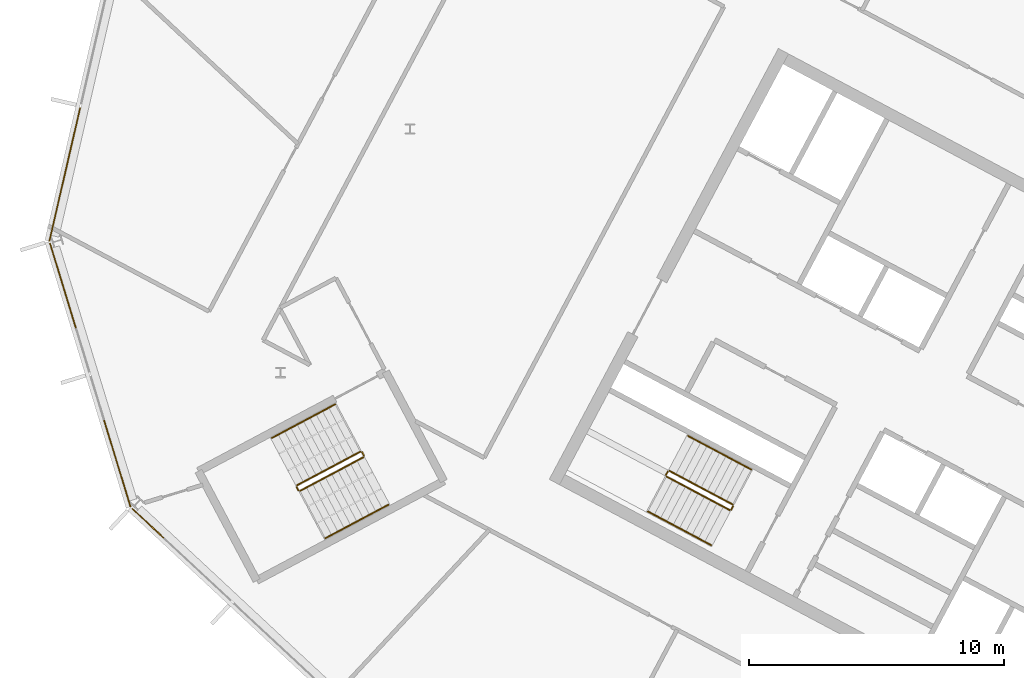
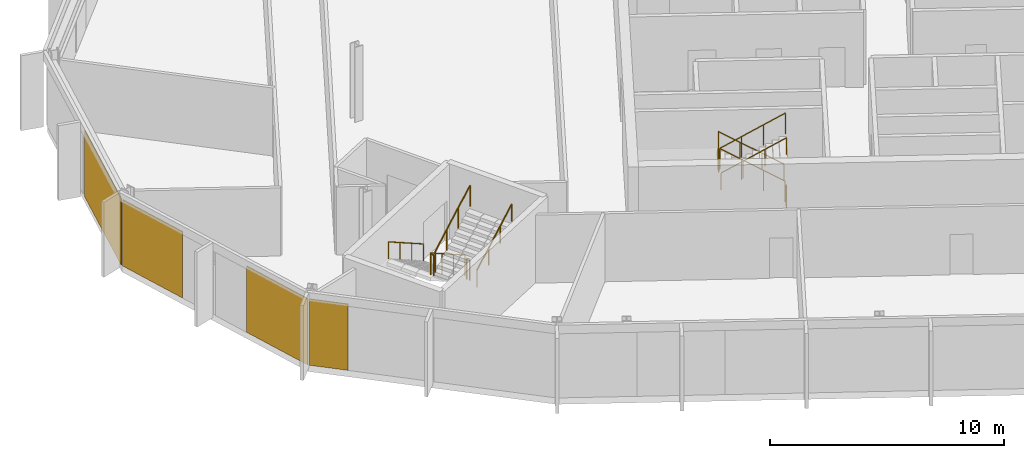
# One storey, part 21 of 26: 12 railings, 4 coverings, 3 elements without a shape of their own.
"""IFC4 building model written with IfcOpenShell, lengths in metres."""

from ifc_helpers import new_model, si_unit, direction, frame, origin, origin_2d, place, context, subcontext, project, spatial, polyline, rectangle, outline, extrude, material, layer, layer_set, type_object, element, aggregate, save


model = new_model("IFC4")

# Units and contexts
model_context = context("Model", 3, precision=1e-05, world=origin(), true_north=direction((0.0, 1.0)))
body_context = subcontext(model_context, "Body", "Model", "MODEL_VIEW")
ifc_project = project(units=[si_unit("LENGTHUNIT", "METRE"), si_unit("AREAUNIT", "SQUARE_METRE"), si_unit("VOLUMEUNIT", "CUBIC_METRE"), si_unit("PLANEANGLEUNIT", "RADIAN"), si_unit("MASSUNIT", "GRAM", prefix="KILO")], contexts=[model_context])

# Site, building, storey
site_placement = place(None, origin())
site = spatial("IfcSite", under=ifc_project, at=site_placement, CompositionType="ELEMENT")
building_placement = place(site_placement, origin())
building = spatial("IfcBuilding", under=site, at=building_placement, Name="Cormorant Relay Tower", CompositionType="ELEMENT")
storey_placement = place(building_placement, frame((0.0, 0.0, 269.699951171875)))
storey = spatial("IfcBuildingStorey", under=building, at=storey_placement, Name="L60", CompositionType="ELEMENT", Elevation=269.699951171875)

# Curtain wall, covering
ifc_material_1 = material(Name="Aluminium 6063-T6 anodised bronze", Category="aluminium")
ifc_layer_1 = layer(ifc_material_1, 0.199951171875)
ifc_layer_set_1 = layer_set([ifc_layer_1], Name="CW1 unitised bronze curtain wall with vertical fins")
curtain_wall_type = type_object("IfcCurtainWallType", Name="CW1 unitised bronze curtain wall with vertical fins", PredefinedType="NOTDEFINED", material=ifc_layer_set_1)
curtain_wall_1_placement = place(storey_placement, origin())
curtain_wall_1 = element("IfcCurtainWall", 1, at=curtain_wall_1_placement, inside=storey, type_object=curtain_wall_type, Name="CW1 curtain wall 13", PredefinedType="NOTDEFINED")
ifc_material_2 = material(Name="Pale bronze anodised aluminium insulated panel", Category="aluminium")
ifc_layer_2 = layer(ifc_material_2, 0.0400390625)
ifc_layer_set_2 = layer_set([ifc_layer_2], Name="CW1 pale bronze insulated panel 40")
covering_type = type_object("IfcCoveringType", Name="CW1 pale bronze insulated panel 40", PredefinedType="CLADDING", material=ifc_layer_set_2)
covering_1_placement = place(storey_placement, frame((-60.136474609375, 23.00927734375, 0.0), z_axis=(0.0, 0.0, 1.0), x_axis=(-0.224951054344, -0.974370064785, 0.0)))
covering_1 = element("IfcCovering", 2, at=covering_1_placement, type_object=covering_type, Name="CW1 panel S01", PredefinedType="CLADDING", context=body_context, shape_type="SweptSolid", body=[
    extrude(rectangle(XDim=5.360107421875, YDim=0.0400390625, at=origin_2d()), origin(), (0.0, 0.0, 1.0), 3.449951171875),
])
aggregate(curtain_wall_1, [covering_1])

# Curtain wall, coverings
curtain_wall_2_placement = place(storey_placement, origin())
curtain_wall_2 = element("IfcCurtainWall", 3, at=curtain_wall_2_placement, inside=storey, type_object=curtain_wall_type, Name="CW1 curtain wall 14", PredefinedType="NOTDEFINED")
covering_2_placement = place(storey_placement, frame((-60.20751953125, 18.6494140625, 0.0), z_axis=(0.0, 0.0, 1.0), x_axis=(0.292371704723, -0.956304755963, 0.0)))
covering_2 = element("IfcCovering", 4, at=covering_2_placement, type_object=covering_type, Name="CW1 panel S00", PredefinedType="CLADDING", context=body_context, shape_type="SweptSolid", body=[
    extrude(rectangle(XDim=3.485107421875, YDim=0.0400390625, at=origin_2d()), origin(), (0.0, 0.0, 1.0), 3.449951171875),
])
covering_3_placement = place(storey_placement, frame((-58.081298828125, 11.6943359375, 0.0), z_axis=(0.0, 0.0, 1.0), x_axis=(0.292371704723, -0.956304755963, 0.0)))
covering_3 = element("IfcCovering", 5, at=covering_3_placement, type_object=covering_type, Name="CW1 panel S03", PredefinedType="CLADDING", context=body_context, shape_type="SweptSolid", body=[
    extrude(rectangle(XDim=3.560302734375, YDim=0.0400390625, at=origin_2d()), origin(), (0.0, 0.0, 1.0), 3.449951171875),
])
aggregate(curtain_wall_2, [covering_2, covering_3])

# Curtain wall, covering
curtain_wall_3_placement = place(storey_placement, origin())
curtain_wall_3 = element("IfcCurtainWall", 6, at=curtain_wall_3_placement, inside=storey, type_object=curtain_wall_type, Name="CW1 curtain wall 15", PredefinedType="NOTDEFINED")
covering_4_placement = place(storey_placement, frame((-56.88427734375, 9.357421875, 0.0), z_axis=(0.0, 0.0, 1.0), x_axis=(0.731353701619, -0.681998360062, 0.0)))
covering_4 = element("IfcCovering", 7, at=covering_4_placement, type_object=covering_type, Name="CW1 panel S00", PredefinedType="CLADDING", context=body_context, shape_type="SweptSolid", body=[
    extrude(rectangle(XDim=1.685302734375, YDim=0.0400390625, at=origin_2d()), origin(), (0.0, 0.0, 1.0), 3.449951171875),
])
aggregate(curtain_wall_3, [covering_4])

# Railings
ifc_material_3 = material(Name="Steel ASTM A572 Grade 50 (Fy 345 MPa)", Category="steel")
railing_type_1 = type_object("IfcRailingType", Name="Stair guard 1100", PredefinedType="GUARDRAIL", material=ifc_material_3)
railing_1_placement = place(storey_placement, frame((-33.9921875, 10.08935546875, 0.17724609375)))
element("IfcRailing", 8, at=railing_1_placement, inside=storey, type_object=railing_type_1, Name="L60 A2 stair guard 1", PredefinedType="GUARDRAIL", context=body_context, shape_type="SweptSolid", body=[
    extrude(outline(polyline([(0.022216796875, 0.00927734375), (0.00927734375, 0.022216796875), (-0.00927734375, 0.022216796875), (-0.022216796875, 0.00927734375), (-0.022216796875, -0.00927734375), (-0.00927734375, -0.022216796875), (0.00927734375, -0.022216796875), (0.022216796875, -0.00927734375), (0.022216796875, 0.00927734375)])), frame((0.0, 0.0, 1.076171875), z_axis=(-0.746001213114, 0.396649272309, 0.534931345884), x_axis=(-0.469465464807, -0.882950835185, 0.0)), (0.0, 0.0, 1.0), 3.31396484375),
    extrude(outline(polyline([(0.019287109375, 0.008056640625), (0.008056640625, 0.019287109375), (-0.008056640625, 0.019287109375), (-0.019287109375, 0.008056640625), (-0.019287109375, -0.008056640625), (-0.008056640625, -0.019287109375), (0.008056640625, -0.019287109375), (0.019287109375, -0.008056640625), (0.019287109375, 0.008056640625)])), origin(), (0.0, 0.0, 1.0), 1.052001953125),
    extrude(outline(polyline([(0.019287109375, 0.008056640625), (0.008056640625, 0.019287109375), (-0.008056640625, 0.019287109375), (-0.019287109375, 0.008056640625), (-0.019287109375, -0.008056640625), (-0.008056640625, -0.019287109375), (0.008056640625, -0.019287109375), (0.019287109375, -0.008056640625), (0.019287109375, 0.008056640625)])), frame((-0.823974609375, 0.438232421875, 0.5908203125)), (0.0, 0.0, 1.0), 1.052001953125),
    extrude(outline(polyline([(0.019287109375, 0.008056640625), (0.008056640625, 0.019287109375), (-0.008056640625, 0.019287109375), (-0.019287109375, 0.008056640625), (-0.019287109375, -0.008056640625), (-0.008056640625, -0.019287109375), (0.008056640625, -0.019287109375), (0.019287109375, -0.008056640625), (0.019287109375, 0.008056640625)])), frame((-1.648193359375, 0.876220703125, 1.181884765625)), (0.0, 0.0, 1.0), 1.052001953125),
    extrude(outline(polyline([(0.019287109375, 0.008056640625), (0.008056640625, 0.019287109375), (-0.008056640625, 0.019287109375), (-0.019287109375, 0.008056640625), (-0.019287109375, -0.008056640625), (-0.008056640625, -0.019287109375), (0.008056640625, -0.019287109375), (0.019287109375, -0.008056640625), (0.019287109375, 0.008056640625)])), frame((-2.47216796875, 1.314453125, 1.772705078125)), (0.0, 0.0, 1.0), 1.052001953125),
])
railing_2_placement = place(storey_placement, frame((-36.531982421875, 11.38330078125, 1.949951171875)))
element("IfcRailing", 9, at=railing_2_placement, inside=storey, type_object=railing_type_1, Name="L60 A2 stair guard 2", PredefinedType="GUARDRAIL", context=body_context, shape_type="SweptSolid", body=[
    extrude(outline(polyline([(0.022216796875, 0.00927734375), (0.00927734375, 0.022216796875), (-0.00927734375, 0.022216796875), (-0.022216796875, 0.00927734375), (-0.022216796875, -0.00927734375), (-0.00927734375, -0.022216796875), (0.00927734375, -0.022216796875), (0.022216796875, -0.00927734375), (0.022216796875, 0.00927734375)])), frame((0.0, 0.0, 1.076171875), z_axis=(-0.469828648786, -0.882757634224, 0.0), x_axis=(0.882757634224, -0.469828648786, 0.0)), (0.0, 0.0, 1.0), 0.150146484375),
    extrude(outline(polyline([(0.019287109375, 0.008056640625), (0.008056640625, 0.019287109375), (-0.008056640625, 0.019287109375), (-0.019287109375, 0.008056640625), (-0.019287109375, -0.008056640625), (-0.008056640625, -0.019287109375), (0.008056640625, -0.019287109375), (0.019287109375, -0.008056640625), (0.019287109375, 0.008056640625)])), origin(), (0.0, 0.0, 1.0), 1.052001953125),
    extrude(outline(polyline([(0.019287109375, 0.008056640625), (0.008056640625, 0.019287109375), (-0.008056640625, 0.019287109375), (-0.019287109375, 0.008056640625), (-0.019287109375, -0.008056640625), (-0.008056640625, -0.019287109375), (0.008056640625, -0.019287109375), (0.019287109375, -0.008056640625), (0.019287109375, 0.008056640625)])), frame((-0.070556640625, -0.132568359375, 0.0)), (0.0, 0.0, 1.0), 1.052001953125),
])
railing_3_placement = place(storey_placement, frame((-36.581787109375, 11.18310546875, 2.12744140625)))
element("IfcRailing", 10, at=railing_3_placement, inside=storey, type_object=railing_type_1, Name="L60 A2 stair guard 3", PredefinedType="GUARDRAIL", context=body_context, shape_type="SweptSolid", body=[
    extrude(outline(polyline([(0.022216796875, 0.00927734375), (0.00927734375, 0.022216796875), (-0.00927734375, 0.022216796875), (-0.022216796875, 0.00927734375), (-0.022216796875, -0.00927734375), (-0.00927734375, -0.022216796875), (0.00927734375, -0.022216796875), (0.022216796875, -0.00927734375), (0.022216796875, 0.00927734375)])), frame((0.0, 0.0, 1.076171875), z_axis=(0.746001213114, -0.396649272309, 0.534931345884), x_axis=(0.469465464807, 0.882950835185, 0.0)), (0.0, 0.0, 1.0), 3.31396484375),
    extrude(outline(polyline([(0.019287109375, 0.008056640625), (0.008056640625, 0.019287109375), (-0.008056640625, 0.019287109375), (-0.019287109375, 0.008056640625), (-0.019287109375, -0.008056640625), (-0.008056640625, -0.019287109375), (0.008056640625, -0.019287109375), (0.019287109375, -0.008056640625), (0.019287109375, 0.008056640625)])), origin(), (0.0, 0.0, 1.0), 1.052001953125),
    extrude(outline(polyline([(0.019287109375, 0.008056640625), (0.008056640625, 0.019287109375), (-0.008056640625, 0.019287109375), (-0.019287109375, 0.008056640625), (-0.019287109375, -0.008056640625), (-0.008056640625, -0.019287109375), (0.008056640625, -0.019287109375), (0.019287109375, -0.008056640625), (0.019287109375, 0.008056640625)])), frame((0.823974609375, -0.438232421875, 0.5908203125)), (0.0, 0.0, 1.0), 1.052001953125),
    extrude(outline(polyline([(0.019287109375, 0.008056640625), (0.008056640625, 0.019287109375), (-0.008056640625, 0.019287109375), (-0.019287109375, 0.008056640625), (-0.019287109375, -0.008056640625), (-0.008056640625, -0.019287109375), (0.008056640625, -0.019287109375), (0.019287109375, -0.008056640625), (0.019287109375, 0.008056640625)])), frame((1.648193359375, -0.876220703125, 1.181884765625)), (0.0, 0.0, 1.0), 1.052001953125),
    extrude(outline(polyline([(0.019287109375, 0.008056640625), (0.008056640625, 0.019287109375), (-0.008056640625, 0.019287109375), (-0.019287109375, 0.008056640625), (-0.019287109375, -0.008056640625), (-0.008056640625, -0.019287109375), (0.008056640625, -0.019287109375), (0.019287109375, -0.008056640625), (0.019287109375, 0.008056640625)])), frame((2.47216796875, -1.314453125, 1.772705078125)), (0.0, 0.0, 1.0), 1.052001953125),
])
railing_4_placement = place(storey_placement, frame((-33.971435546875, 10.021728515625, 0.0)))
element("IfcRailing", 11, at=railing_4_placement, inside=storey, type_object=railing_type_1, Name="L60 A2 stair guard 4", PredefinedType="GUARDRAIL", context=body_context, shape_type="SweptSolid", body=[
    extrude(outline(polyline([(0.022216796875, 0.00927734375), (0.00927734375, 0.022216796875), (-0.00927734375, 0.022216796875), (-0.022216796875, 0.00927734375), (-0.022216796875, -0.00927734375), (-0.00927734375, -0.022216796875), (0.00927734375, -0.022216796875), (0.022216796875, -0.00927734375), (0.022216796875, 0.00927734375)])), frame((0.0, 0.0, 1.076171875), z_axis=(-0.470503732759, -0.882398003998, 0.0), x_axis=(0.882398003998, -0.470503732759, 0.0)), (0.0, 0.0, 1.0), 0.14990234375),
    extrude(outline(polyline([(0.019287109375, 0.008056640625), (0.008056640625, 0.019287109375), (-0.008056640625, 0.019287109375), (-0.019287109375, 0.008056640625), (-0.019287109375, -0.008056640625), (-0.008056640625, -0.019287109375), (0.008056640625, -0.019287109375), (0.019287109375, -0.008056640625), (0.019287109375, 0.008056640625)])), origin(), (0.0, 0.0, 1.0), 1.052001953125),
    extrude(outline(polyline([(0.019287109375, 0.008056640625), (0.008056640625, 0.019287109375), (-0.008056640625, 0.019287109375), (-0.019287109375, 0.008056640625), (-0.019287109375, -0.008056640625), (-0.008056640625, -0.019287109375), (0.008056640625, -0.019287109375), (0.019287109375, -0.008056640625), (0.019287109375, 0.008056640625)])), frame((-0.070556640625, -0.13232421875, 0.0)), (0.0, 0.0, 1.0), 1.052001953125),
])
railing_5_placement = place(storey_placement, frame((-48.5693359375, 12.155517578125, 0.17724609375)))
element("IfcRailing", 12, at=railing_5_placement, inside=storey, type_object=railing_type_1, Name="L60 RP1 stair guard 1", PredefinedType="GUARDRAIL", context=body_context, shape_type="SweptSolid", body=[
    extrude(outline(polyline([(0.022216796875, 0.00927734375), (0.00927734375, 0.022216796875), (-0.00927734375, 0.022216796875), (-0.022216796875, 0.00927734375), (-0.022216796875, -0.00927734375), (-0.00927734375, -0.022216796875), (0.00927734375, -0.022216796875), (0.022216796875, -0.00927734375), (0.022216796875, 0.00927734375)])), frame((0.0, 0.0, 1.076171875), z_axis=(-0.746012083385, -0.396689549623, 0.534886317514), x_axis=(0.469497295046, -0.882933910293, 0.0)), (0.0, 0.0, 1.0), 3.314208984375),
    extrude(outline(polyline([(0.019287109375, 0.008056640625), (0.008056640625, 0.019287109375), (-0.008056640625, 0.019287109375), (-0.019287109375, 0.008056640625), (-0.019287109375, -0.008056640625), (-0.008056640625, -0.019287109375), (0.008056640625, -0.019287109375), (0.019287109375, -0.008056640625), (0.019287109375, 0.008056640625)])), origin(), (0.0, 0.0, 1.0), 1.052001953125),
    extrude(outline(polyline([(0.019287109375, 0.008056640625), (0.008056640625, 0.019287109375), (-0.008056640625, 0.019287109375), (-0.019287109375, 0.008056640625), (-0.019287109375, -0.008056640625), (-0.008056640625, -0.019287109375), (0.008056640625, -0.019287109375), (0.019287109375, -0.008056640625), (0.019287109375, 0.008056640625)])), frame((-0.82421875, -0.438232421875, 0.5908203125)), (0.0, 0.0, 1.0), 1.052001953125),
    extrude(outline(polyline([(0.019287109375, 0.008056640625), (0.008056640625, 0.019287109375), (-0.008056640625, 0.019287109375), (-0.019287109375, 0.008056640625), (-0.019287109375, -0.008056640625), (-0.008056640625, -0.019287109375), (0.008056640625, -0.019287109375), (0.019287109375, -0.008056640625), (0.019287109375, 0.008056640625)])), frame((-1.648193359375, -0.87646484375, 1.181884765625)), (0.0, 0.0, 1.0), 1.052001953125),
    extrude(outline(polyline([(0.019287109375, 0.008056640625), (0.008056640625, 0.019287109375), (-0.008056640625, 0.019287109375), (-0.019287109375, 0.008056640625), (-0.019287109375, -0.008056640625), (-0.008056640625, -0.019287109375), (0.008056640625, -0.019287109375), (0.019287109375, -0.008056640625), (0.019287109375, 0.008056640625)])), frame((-2.472412109375, -1.314697265625, 1.772705078125)), (0.0, 0.0, 1.0), 1.052001953125),
])
railing_6_placement = place(storey_placement, frame((-51.062255859375, 10.773193359375, 1.949951171875)))
element("IfcRailing", 13, at=railing_6_placement, inside=storey, type_object=railing_type_1, Name="L60 RP1 stair guard 2", PredefinedType="GUARDRAIL", context=body_context, shape_type="SweptSolid", body=[
    extrude(outline(polyline([(0.022216796875, 0.00927734375), (0.00927734375, 0.022216796875), (-0.00927734375, 0.022216796875), (-0.022216796875, 0.00927734375), (-0.022216796875, -0.00927734375), (-0.00927734375, -0.022216796875), (0.00927734375, -0.022216796875), (0.022216796875, -0.00927734375), (0.022216796875, 0.00927734375)])), frame((0.0, 0.0, 1.076171875), z_axis=(0.469234640946, -0.883073525669, 0.0), x_axis=(0.883073525669, 0.469234640946, 0.0)), (0.0, 0.0, 1.0), 0.14990234375),
    extrude(outline(polyline([(0.019287109375, 0.008056640625), (0.008056640625, 0.019287109375), (-0.008056640625, 0.019287109375), (-0.019287109375, 0.008056640625), (-0.019287109375, -0.008056640625), (-0.008056640625, -0.019287109375), (0.008056640625, -0.019287109375), (0.019287109375, -0.008056640625), (0.019287109375, 0.008056640625)])), origin(), (0.0, 0.0, 1.0), 1.052001953125),
    extrude(outline(polyline([(0.019287109375, 0.008056640625), (0.008056640625, 0.019287109375), (-0.008056640625, 0.019287109375), (-0.019287109375, 0.008056640625), (-0.019287109375, -0.008056640625), (-0.008056640625, -0.019287109375), (0.008056640625, -0.019287109375), (0.019287109375, -0.008056640625), (0.019287109375, 0.008056640625)])), frame((0.0703125, -0.13232421875, 0.0)), (0.0, 0.0, 1.0), 1.052001953125),
])
railing_7_placement = place(storey_placement, frame((-50.92431640625, 10.6201171875, 2.12744140625)))
element("IfcRailing", 14, at=railing_7_placement, inside=storey, type_object=railing_type_1, Name="L60 RP1 stair guard 3", PredefinedType="GUARDRAIL", context=body_context, shape_type="SweptSolid", body=[
    extrude(outline(polyline([(0.022216796875, 0.00927734375), (0.00927734375, 0.022216796875), (-0.00927734375, 0.022216796875), (-0.022216796875, 0.00927734375), (-0.022216796875, -0.00927734375), (-0.00927734375, -0.022216796875), (0.00927734375, -0.022216796875), (0.022216796875, -0.00927734375), (0.022216796875, 0.00927734375)])), frame((0.0, 0.0, 1.076171875), z_axis=(0.746033882577, 0.396627473466, 0.534901947407), x_axis=(-0.469429322983, 0.882970050864, 0.0)), (0.0, 0.0, 1.0), 3.31396484375),
    extrude(outline(polyline([(0.019287109375, 0.008056640625), (0.008056640625, 0.019287109375), (-0.008056640625, 0.019287109375), (-0.019287109375, 0.008056640625), (-0.019287109375, -0.008056640625), (-0.008056640625, -0.019287109375), (0.008056640625, -0.019287109375), (0.019287109375, -0.008056640625), (0.019287109375, 0.008056640625)])), origin(), (0.0, 0.0, 1.0), 1.052001953125),
    extrude(outline(polyline([(0.019287109375, 0.008056640625), (0.008056640625, 0.019287109375), (-0.008056640625, 0.019287109375), (-0.019287109375, 0.008056640625), (-0.019287109375, -0.008056640625), (-0.008056640625, -0.019287109375), (0.008056640625, -0.019287109375), (0.019287109375, -0.008056640625), (0.019287109375, 0.008056640625)])), frame((0.82421875, 0.438232421875, 0.5908203125)), (0.0, 0.0, 1.0), 1.052001953125),
    extrude(outline(polyline([(0.019287109375, 0.008056640625), (0.008056640625, 0.019287109375), (-0.008056640625, 0.019287109375), (-0.019287109375, 0.008056640625), (-0.019287109375, -0.008056640625), (-0.008056640625, -0.019287109375), (0.008056640625, -0.019287109375), (0.019287109375, -0.008056640625), (0.019287109375, 0.008056640625)])), frame((1.648193359375, 0.876220703125, 1.181884765625)), (0.0, 0.0, 1.0), 1.052001953125),
    extrude(outline(polyline([(0.019287109375, 0.008056640625), (0.008056640625, 0.019287109375), (-0.008056640625, 0.019287109375), (-0.019287109375, 0.008056640625), (-0.019287109375, -0.008056640625), (-0.008056640625, -0.019287109375), (0.008056640625, -0.019287109375), (0.019287109375, -0.008056640625), (0.019287109375, 0.008056640625)])), frame((2.472412109375, 1.314453125, 1.772705078125)), (0.0, 0.0, 1.0), 1.052001953125),
])
railing_8_placement = place(storey_placement, frame((-48.501708984375, 12.134765625, 0.0)))
element("IfcRailing", 15, at=railing_8_placement, inside=storey, type_object=railing_type_1, Name="L60 RP1 stair guard 4", PredefinedType="GUARDRAIL", context=body_context, shape_type="SweptSolid", body=[
    extrude(outline(polyline([(0.022216796875, 0.00927734375), (0.00927734375, 0.022216796875), (-0.00927734375, 0.022216796875), (-0.022216796875, 0.00927734375), (-0.022216796875, -0.00927734375), (-0.00927734375, -0.022216796875), (0.00927734375, -0.022216796875), (0.022216796875, -0.00927734375), (0.022216796875, 0.00927734375)])), frame((0.0, 0.0, 1.076171875), z_axis=(0.46856034887, -0.8834314911, 0.0), x_axis=(0.8834314911, 0.46856034887, 0.0)), (0.0, 0.0, 1.0), 0.150146484375),
    extrude(outline(polyline([(0.019287109375, 0.008056640625), (0.008056640625, 0.019287109375), (-0.008056640625, 0.019287109375), (-0.019287109375, 0.008056640625), (-0.019287109375, -0.008056640625), (-0.008056640625, -0.019287109375), (0.008056640625, -0.019287109375), (0.019287109375, -0.008056640625), (0.019287109375, 0.008056640625)])), origin(), (0.0, 0.0, 1.0), 1.052001953125),
    extrude(outline(polyline([(0.019287109375, 0.008056640625), (0.008056640625, 0.019287109375), (-0.008056640625, 0.019287109375), (-0.019287109375, 0.008056640625), (-0.019287109375, -0.008056640625), (-0.008056640625, -0.019287109375), (0.008056640625, -0.019287109375), (0.019287109375, -0.008056640625), (0.019287109375, 0.008056640625)])), frame((0.0703125, -0.132568359375, 0.0)), (0.0, 0.0, 1.0), 1.052001953125),
])
ifc_material_4 = material(Name="Steel ASTM A572 Grade 50 (Fy 345 MPa)", Category="steel")
railing_type_2 = type_object("IfcRailingType", Name="Stair handrail 900", PredefinedType="HANDRAIL", material=ifc_material_4)
railing_9_placement = place(storey_placement, frame((-33.264404296875, 11.4580078125, 0.17724609375)))
element("IfcRailing", 16, at=railing_9_placement, inside=storey, type_object=railing_type_2, Name="L60 A2 stair handrail 1", PredefinedType="HANDRAIL", context=body_context, shape_type="SweptSolid", body=[
    extrude(outline(polyline([(0.022216796875, 0.00927734375), (0.00927734375, 0.022216796875), (-0.00927734375, 0.022216796875), (-0.022216796875, 0.00927734375), (-0.022216796875, -0.00927734375), (-0.00927734375, -0.022216796875), (0.00927734375, -0.022216796875), (0.022216796875, -0.00927734375), (0.022216796875, 0.00927734375)])), frame((0.0, 0.0, 0.8759765625), z_axis=(-0.746033882577, 0.396627473466, 0.534901947407), x_axis=(-0.469429322983, -0.882970050864, 0.0)), (0.0, 0.0, 1.0), 3.31396484375),
    extrude(outline(polyline([(0.019287109375, 0.008056640625), (0.008056640625, 0.019287109375), (-0.008056640625, 0.019287109375), (-0.019287109375, 0.008056640625), (-0.019287109375, -0.008056640625), (-0.008056640625, -0.019287109375), (0.008056640625, -0.019287109375), (0.019287109375, -0.008056640625), (0.019287109375, 0.008056640625)])), origin(), (0.0, 0.0, 1.0), 0.851806640625),
    extrude(outline(polyline([(0.019287109375, 0.008056640625), (0.008056640625, 0.019287109375), (-0.008056640625, 0.019287109375), (-0.019287109375, 0.008056640625), (-0.019287109375, -0.008056640625), (-0.008056640625, -0.019287109375), (0.008056640625, -0.019287109375), (0.019287109375, -0.008056640625), (0.019287109375, 0.008056640625)])), frame((-0.82421875, 0.438232421875, 0.5908203125)), (0.0, 0.0, 1.0), 0.851806640625),
    extrude(outline(polyline([(0.019287109375, 0.008056640625), (0.008056640625, 0.019287109375), (-0.008056640625, 0.019287109375), (-0.019287109375, 0.008056640625), (-0.019287109375, -0.008056640625), (-0.008056640625, -0.019287109375), (0.008056640625, -0.019287109375), (0.019287109375, -0.008056640625), (0.019287109375, 0.008056640625)])), frame((-1.648193359375, 0.876220703125, 1.181884765625)), (0.0, 0.0, 1.0), 0.851806640625),
    extrude(outline(polyline([(0.019287109375, 0.008056640625), (0.008056640625, 0.019287109375), (-0.008056640625, 0.019287109375), (-0.019287109375, 0.008056640625), (-0.019287109375, -0.008056640625), (-0.008056640625, -0.019287109375), (0.008056640625, -0.019287109375), (0.019287109375, -0.008056640625), (0.019287109375, 0.008056640625)])), frame((-2.472412109375, 1.314453125, 1.772705078125)), (0.0, 0.0, 1.0), 0.851806640625),
])
railing_10_placement = place(storey_placement, frame((-37.3095703125, 9.814453125, 2.12744140625)))
element("IfcRailing", 17, at=railing_10_placement, inside=storey, type_object=railing_type_2, Name="L60 A2 stair handrail 2", PredefinedType="HANDRAIL", context=body_context, shape_type="SweptSolid", body=[
    extrude(outline(polyline([(0.022216796875, 0.00927734375), (0.00927734375, 0.022216796875), (-0.00927734375, 0.022216796875), (-0.022216796875, 0.00927734375), (-0.022216796875, -0.00927734375), (-0.00927734375, -0.022216796875), (0.00927734375, -0.022216796875), (0.022216796875, -0.00927734375), (0.022216796875, 0.00927734375)])), frame((0.0, 0.0, 0.8759765625), z_axis=(0.746033882577, -0.396627473466, 0.534901947407), x_axis=(0.469429322983, 0.882970050864, 0.0)), (0.0, 0.0, 1.0), 3.31396484375),
    extrude(outline(polyline([(0.019287109375, 0.008056640625), (0.008056640625, 0.019287109375), (-0.008056640625, 0.019287109375), (-0.019287109375, 0.008056640625), (-0.019287109375, -0.008056640625), (-0.008056640625, -0.019287109375), (0.008056640625, -0.019287109375), (0.019287109375, -0.008056640625), (0.019287109375, 0.008056640625)])), origin(), (0.0, 0.0, 1.0), 0.851806640625),
    extrude(outline(polyline([(0.019287109375, 0.008056640625), (0.008056640625, 0.019287109375), (-0.008056640625, 0.019287109375), (-0.019287109375, 0.008056640625), (-0.019287109375, -0.008056640625), (-0.008056640625, -0.019287109375), (0.008056640625, -0.019287109375), (0.019287109375, -0.008056640625), (0.019287109375, 0.008056640625)])), frame((0.82421875, -0.438232421875, 0.5908203125)), (0.0, 0.0, 1.0), 0.851806640625),
    extrude(outline(polyline([(0.019287109375, 0.008056640625), (0.008056640625, 0.019287109375), (-0.008056640625, 0.019287109375), (-0.019287109375, 0.008056640625), (-0.019287109375, -0.008056640625), (-0.008056640625, -0.019287109375), (0.008056640625, -0.019287109375), (0.019287109375, -0.008056640625), (0.019287109375, 0.008056640625)])), frame((1.648193359375, -0.876220703125, 1.181884765625)), (0.0, 0.0, 1.0), 0.851806640625),
    extrude(outline(polyline([(0.019287109375, 0.008056640625), (0.008056640625, 0.019287109375), (-0.008056640625, 0.019287109375), (-0.019287109375, 0.008056640625), (-0.019287109375, -0.008056640625), (-0.008056640625, -0.019287109375), (0.008056640625, -0.019287109375), (0.019287109375, -0.008056640625), (0.019287109375, 0.008056640625)])), frame((2.472412109375, -1.314453125, 1.772705078125)), (0.0, 0.0, 1.0), 0.851806640625),
])
railing_11_placement = place(storey_placement, frame((-49.55517578125, 14.009521484375, 0.17724609375)))
element("IfcRailing", 18, at=railing_11_placement, inside=storey, type_object=railing_type_2, Name="L60 RP1 stair handrail 1", PredefinedType="HANDRAIL", context=body_context, shape_type="SweptSolid", body=[
    extrude(outline(polyline([(0.022216796875, 0.00927734375), (0.00927734375, 0.022216796875), (-0.00927734375, 0.022216796875), (-0.022216796875, 0.00927734375), (-0.022216796875, -0.00927734375), (-0.00927734375, -0.022216796875), (0.00927734375, -0.022216796875), (0.022216796875, -0.00927734375), (0.022216796875, 0.00927734375)])), frame((0.0, 0.0, 0.8759765625), z_axis=(-0.746033882577, -0.396627473466, 0.534901947407), x_axis=(0.469429322983, -0.882970050864, 0.0)), (0.0, 0.0, 1.0), 3.31396484375),
    extrude(outline(polyline([(0.019287109375, 0.008056640625), (0.008056640625, 0.019287109375), (-0.008056640625, 0.019287109375), (-0.019287109375, 0.008056640625), (-0.019287109375, -0.008056640625), (-0.008056640625, -0.019287109375), (0.008056640625, -0.019287109375), (0.019287109375, -0.008056640625), (0.019287109375, 0.008056640625)])), origin(), (0.0, 0.0, 1.0), 0.851806640625),
    extrude(outline(polyline([(0.019287109375, 0.008056640625), (0.008056640625, 0.019287109375), (-0.008056640625, 0.019287109375), (-0.019287109375, 0.008056640625), (-0.019287109375, -0.008056640625), (-0.008056640625, -0.019287109375), (0.008056640625, -0.019287109375), (0.019287109375, -0.008056640625), (0.019287109375, 0.008056640625)])), frame((-0.82421875, -0.438232421875, 0.5908203125)), (0.0, 0.0, 1.0), 0.851806640625),
    extrude(outline(polyline([(0.019287109375, 0.008056640625), (0.008056640625, 0.019287109375), (-0.008056640625, 0.019287109375), (-0.019287109375, 0.008056640625), (-0.019287109375, -0.008056640625), (-0.008056640625, -0.019287109375), (0.008056640625, -0.019287109375), (0.019287109375, -0.008056640625), (0.019287109375, 0.008056640625)])), frame((-1.648193359375, -0.876220703125, 1.181884765625)), (0.0, 0.0, 1.0), 0.851806640625),
    extrude(outline(polyline([(0.019287109375, 0.008056640625), (0.008056640625, 0.019287109375), (-0.008056640625, 0.019287109375), (-0.019287109375, 0.008056640625), (-0.019287109375, -0.008056640625), (-0.008056640625, -0.019287109375), (0.008056640625, -0.019287109375), (0.019287109375, -0.008056640625), (0.019287109375, 0.008056640625)])), frame((-2.472412109375, -1.314453125, 1.772705078125)), (0.0, 0.0, 1.0), 0.851806640625),
])
railing_12_placement = place(storey_placement, frame((-49.9384765625, 8.765869140625, 2.12744140625)))
element("IfcRailing", 19, at=railing_12_placement, inside=storey, type_object=railing_type_2, Name="L60 RP1 stair handrail 2", PredefinedType="HANDRAIL", context=body_context, shape_type="SweptSolid", body=[
    extrude(outline(polyline([(0.022216796875, 0.00927734375), (0.00927734375, 0.022216796875), (-0.00927734375, 0.022216796875), (-0.022216796875, 0.00927734375), (-0.022216796875, -0.00927734375), (-0.00927734375, -0.022216796875), (0.00927734375, -0.022216796875), (0.022216796875, -0.00927734375), (0.022216796875, 0.00927734375)])), frame((0.0, 0.0, 0.8759765625), z_axis=(0.746012083385, 0.396689549623, 0.534886317514), x_axis=(-0.469497295046, 0.882933910293, 0.0)), (0.0, 0.0, 1.0), 3.314208984375),
    extrude(outline(polyline([(0.019287109375, 0.008056640625), (0.008056640625, 0.019287109375), (-0.008056640625, 0.019287109375), (-0.019287109375, 0.008056640625), (-0.019287109375, -0.008056640625), (-0.008056640625, -0.019287109375), (0.008056640625, -0.019287109375), (0.019287109375, -0.008056640625), (0.019287109375, 0.008056640625)])), origin(), (0.0, 0.0, 1.0), 0.851806640625),
    extrude(outline(polyline([(0.019287109375, 0.008056640625), (0.008056640625, 0.019287109375), (-0.008056640625, 0.019287109375), (-0.019287109375, 0.008056640625), (-0.019287109375, -0.008056640625), (-0.008056640625, -0.019287109375), (0.008056640625, -0.019287109375), (0.019287109375, -0.008056640625), (0.019287109375, 0.008056640625)])), frame((0.82421875, 0.438232421875, 0.5908203125)), (0.0, 0.0, 1.0), 0.851806640625),
    extrude(outline(polyline([(0.019287109375, 0.008056640625), (0.008056640625, 0.019287109375), (-0.008056640625, 0.019287109375), (-0.019287109375, 0.008056640625), (-0.019287109375, -0.008056640625), (-0.008056640625, -0.019287109375), (0.008056640625, -0.019287109375), (0.019287109375, -0.008056640625), (0.019287109375, 0.008056640625)])), frame((1.648193359375, 0.87646484375, 1.181884765625)), (0.0, 0.0, 1.0), 0.851806640625),
    extrude(outline(polyline([(0.019287109375, 0.008056640625), (0.008056640625, 0.019287109375), (-0.008056640625, 0.019287109375), (-0.019287109375, 0.008056640625), (-0.019287109375, -0.008056640625), (-0.008056640625, -0.019287109375), (0.008056640625, -0.019287109375), (0.019287109375, -0.008056640625), (0.019287109375, 0.008056640625)])), frame((2.472412109375, 1.314697265625, 1.772705078125)), (0.0, 0.0, 1.0), 0.851806640625),
])

save(model, "model.ifc")
